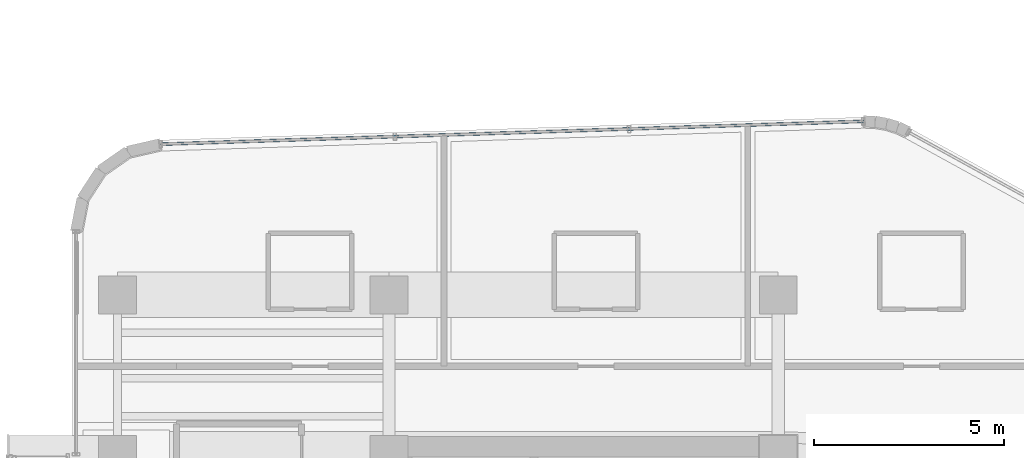
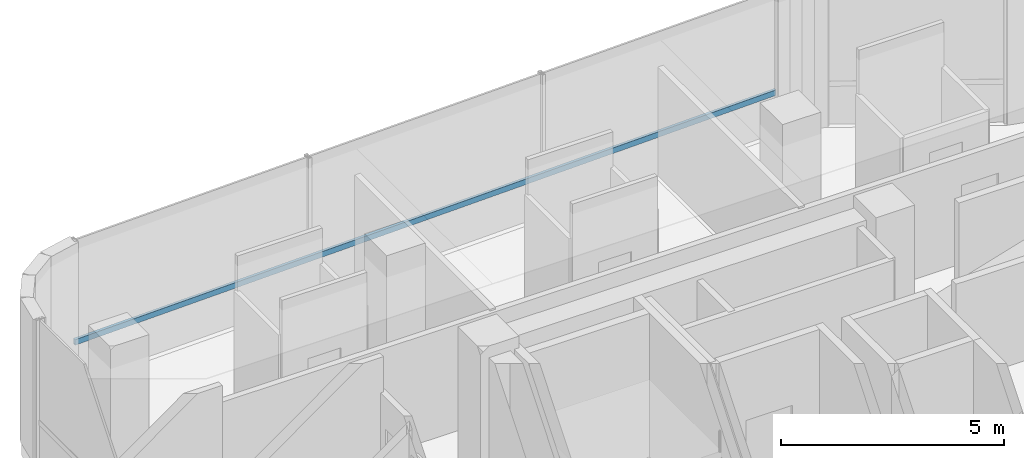
# One storey, part 19 of 37: 1 member, 1 element without a shape of its own.
"""IFC4 building model written with IfcOpenShell, lengths in metres."""

from ifc_helpers import new_model, si_unit, direction, frame, origin, origin_2d, place, context, subcontext, project, spatial, hollow_rectangle, extrude, source, transform, mapped, material, material_profile, profile_set, type_object, element, aggregate, save


model = new_model("IFC4")

# Units and contexts
model_context = context("Model", 3, precision=1e-05, world=origin(), true_north=direction((0.0, 1.0)))
body_context = subcontext(model_context, "Body", "Model", "MODEL_VIEW")
ifc_project = project(units=[si_unit("LENGTHUNIT", "METRE"), si_unit("AREAUNIT", "SQUARE_METRE"), si_unit("VOLUMEUNIT", "CUBIC_METRE"), si_unit("PLANEANGLEUNIT", "RADIAN"), si_unit("MASSUNIT", "GRAM", prefix="KILO")], contexts=[model_context])

# Site, building, storey
site_placement = place(None, origin())
site = spatial("IfcSite", under=ifc_project, at=site_placement, CompositionType="ELEMENT")
building_placement = place(site_placement, origin())
building = spatial("IfcBuilding", under=site, at=building_placement, Name="Valdorenza Pilgrim Sanctuary Tower", CompositionType="ELEMENT")
storey_placement = place(building_placement, frame((0.0, 0.0, 172.300048828125)))
storey = spatial("IfcBuildingStorey", under=building, at=storey_placement, Name="L44", CompositionType="ELEMENT", Elevation=172.300048828125)

# Curtain wall, member
ifc_material_1 = material(Name="Curtain-wall IGU glazing", Category="glass")
curtain_wall_type = type_object("IfcCurtainWallType", Name="CW-SYS-02", PredefinedType="NOTDEFINED", material=ifc_material_1)
curtain_wall_placement = place(storey_placement, origin())
curtain_wall = element("IfcCurtainWall", 1, at=curtain_wall_placement, inside=storey, type_object=curtain_wall_type, Name="L44 Curtain Wall CW-L44-1-6", PredefinedType="NOTDEFINED")
ifc_material_2 = material(Name="Anodised aluminium AW-6060", Category="aluminium")
ifc_material_profile = material_profile(ifc_material_2, hollow_rectangle(XDim=0.074951171875, YDim=0.14990234375, WallThickness=0.00390625, at=origin_2d()), Name="ALU-T 150x75x4")
ifc_profile_set = profile_set([ifc_material_profile], Name="Anodised aluminium AW-6060")
member_type = type_object("IfcMemberType", Name="CW-TRN-02", PredefinedType="USERDEFINED", material=ifc_profile_set)
shared_shape = source(origin(), body_context, "Body", "SweptSolid", [
    extrude(hollow_rectangle(XDim=0.074951171875, YDim=0.14990234375, WallThickness=0.00390625, at=origin_2d()), origin(), (0.0, 0.0, 1.0), 18.515625),
])
member_placement = place(storey_placement, frame((-28.663818359375, 18.76611328125, 1.119873046875), z_axis=(0.99947079366, 0.032528950501, 0.0), x_axis=(-0.032528950501, 0.99947079366, 0.0)))
member = element("IfcMember", 2, at=member_placement, type_object=member_type, Name="CW-L44-1-6 Transom 1", ObjectType="TRANSOM", PredefinedType="USERDEFINED", context=body_context, shape_type="MappedRepresentation", body=[
    mapped(shared_shape, transform((0.0, 0.0, 0.0), x_axis=(1.0, 0.0, 0.0), y_axis=(0.0, 1.0, 0.0), z_axis=(0.0, 0.0, 1.0), scale=1.0)),
])
aggregate(curtain_wall, [member])

save(model, "model.ifc")
